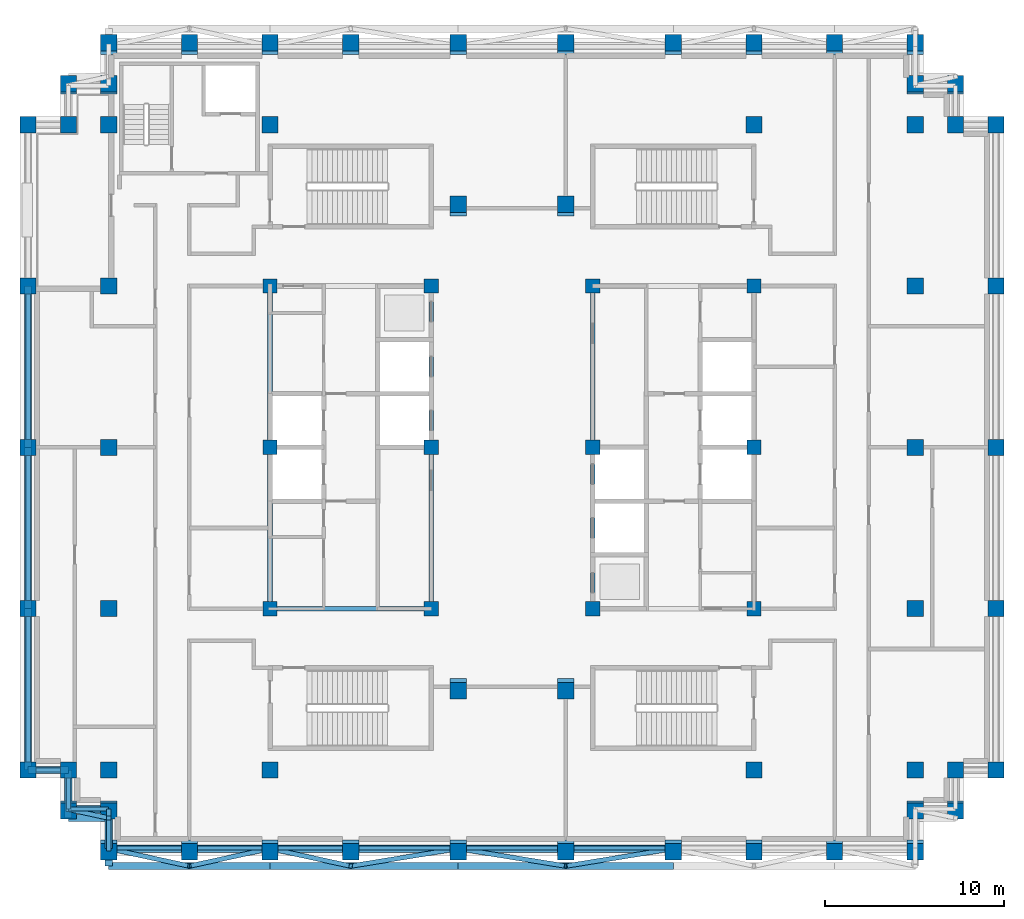
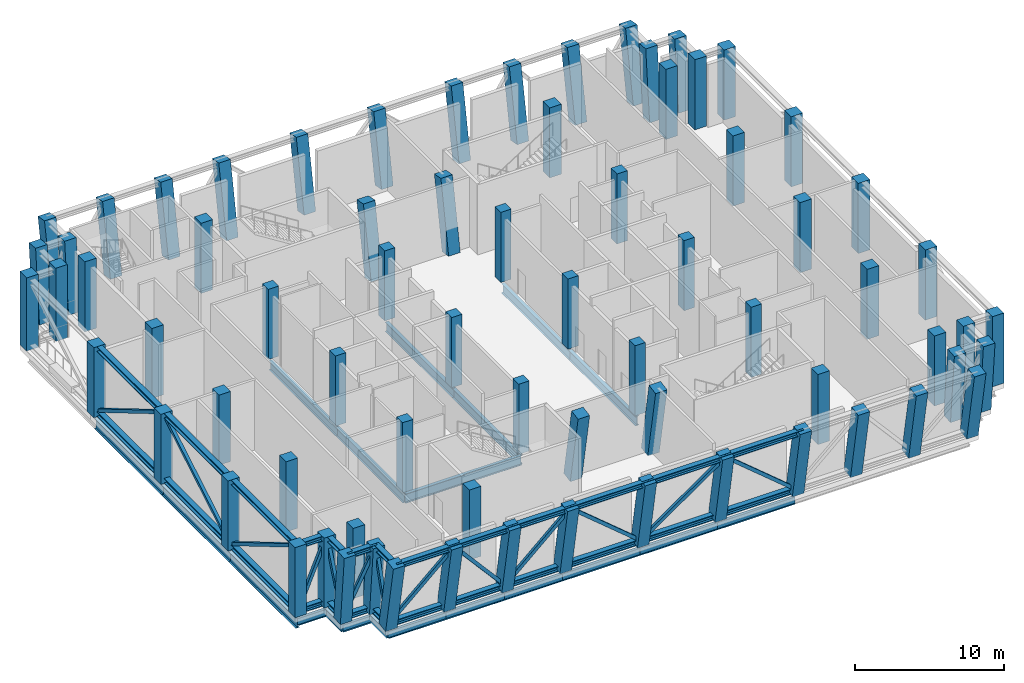
# One storey, part 1 of 11: 72 columns, 39 members, 20 beams.
"""IFC4 building model written with IfcOpenShell, lengths in metres."""

from ifc_helpers import new_model, si_unit, direction, frame, origin, origin_2d, place, context, subcontext, project, spatial, rectangle, hollow_rectangle, i_section, extrude, material, material_profile, profile_set, type_object, element, save


model = new_model("IFC4")

# Units and contexts
model_context = context("Model", 3, precision=1e-05, world=origin(), true_north=direction((0.0, 1.0)))
body_context = subcontext(model_context, "Body", "Model", "MODEL_VIEW")
ifc_project = project(units=[si_unit("LENGTHUNIT", "METRE"), si_unit("AREAUNIT", "SQUARE_METRE"), si_unit("VOLUMEUNIT", "CUBIC_METRE"), si_unit("PLANEANGLEUNIT", "RADIAN"), si_unit("MASSUNIT", "GRAM", prefix="KILO")], contexts=[model_context])

# Site, building, storey
site_placement = place(None, origin())
site = spatial("IfcSite", under=ifc_project, at=site_placement, CompositionType="ELEMENT")
building_placement = place(site_placement, origin())
building = spatial("IfcBuilding", under=site, at=building_placement, Name="Corbelhall Arena Tower", CompositionType="ELEMENT")
storey_placement = place(building_placement, frame((0.0, 0.0, 294.0)))
storey = spatial("IfcBuildingStorey", under=building, at=storey_placement, Name="L64", CompositionType="ELEMENT", Elevation=294.0)

# Columns
ifc_material_1 = material(Name="Concrete C80/95", Category="concrete")
ifc_material_profile_1 = material_profile(ifc_material_1, rectangle(XDim=0.800048828125, YDim=0.800048828125, at=origin_2d()))
ifc_profile_set_1 = profile_set([ifc_material_profile_1], Name="Concrete C80/95")
column_type_1 = type_object("IfcColumnType", Name="ST-COL-RC 800x800", PredefinedType="COLUMN", material=ifc_profile_set_1)
for number, where, z_axis, x_axis, name in (
    (1, (4.5, 0.0, 0.0), (0.0, 0.0, 1.0), (1.0, 0.0, 0.0), "Column KE+0450+0000"),
    (2, (4.5, 9.0, 0.0), (0.0, 0.0, 1.0), (1.0, 0.0, 0.0), "Column KE+0450+0900"),
    (3, (4.5, -9.0, 0.0), (0.0, 0.0, 1.0), (1.0, 0.0, 0.0), "Column KE+0450-0900"),
    (4, (13.5, 0.0, 0.0), (0.0, 0.0, 1.0), (1.0, 0.0, 0.0), "Column KE+1350+0000"),
    (5, (13.5, 9.0, 0.0), (0.0, 0.0, 1.0), (1.0, 0.0, 0.0), "Column KE+1350+0900"),
    (6, (13.5, -9.0, 0.0), (0.0, 0.0, 1.0), (1.0, 0.0, 0.0), "Column KE+1350-0900"),
    (7, (-4.5, 0.0, 0.0), (0.0, 0.0, 1.0), (1.0, 0.0, 0.0), "Column KW-0450+0000"),
    (8, (-4.5, 9.0, 0.0), (0.0, 0.0, 1.0), (1.0, 0.0, 0.0), "Column KW-0450+0900"),
    (9, (-4.5, -9.0, 0.0), (0.0, 0.0, 1.0), (1.0, 0.0, 0.0), "Column KW-0450-0900"),
    (10, (-13.5, 0.0, 0.0), (0.0, 0.0, 1.0), (1.0, 0.0, 0.0), "Column KW-1350+0000"),
    (11, (-13.5, 9.0, 0.0), (0.0, 0.0, 1.0), (1.0, 0.0, 0.0), "Column KW-1350+0900"),
    (12, (-13.5, -9.0, 0.0), (0.0, 0.0, 1.0), (1.0, 0.0, 0.0), "Column KW-1350-0900"),
):
    element("IfcColumn", number, at=place(storey_placement, frame(where, z_axis=z_axis, x_axis=x_axis)), inside=storey, type_object=column_type_1, Name=name, PredefinedType="COLUMN", context=body_context, shape_type="SweptSolid", body=[
        extrude(rectangle(XDim=0.800048828125, YDim=0.800048828125, at=origin_2d()), origin(), (0.0, 0.0, 1.0), 5.739990234375),
    ])
ifc_material_profile_2 = material_profile(ifc_material_1, rectangle(XDim=0.89990234375, YDim=0.89990234375, at=origin_2d()))
ifc_profile_set_2 = profile_set([ifc_material_profile_2], Name="Concrete C80/95")
column_type_2 = type_object("IfcColumnType", Name="ST-COL-RC 900x900", PredefinedType="COLUMN", material=ifc_profile_set_2)
for number, where, z_axis, x_axis, name in (
    (13, (13.5, 18.0, 0.0), (0.0, 0.0, 1.0), (1.0, 0.0, 0.0), "Column IE13+1800"),
    (14, (13.5, -18.0, 0.0), (0.0, 0.0, 1.0), (1.0, 0.0, 0.0), "Column IE13-1800"),
    (15, (22.5, 0.0, 0.0), (0.0, 0.0, 1.0), (1.0, 0.0, 0.0), "Column IE22+0000"),
    (16, (22.5, 9.0, 0.0), (0.0, 0.0, 1.0), (1.0, 0.0, 0.0), "Column IE22+0900"),
    (17, (22.5, 18.0, 0.0), (0.0, 0.0, 1.0), (1.0, 0.0, 0.0), "Column IE22+1800"),
    (18, (22.5, -9.0, 0.0), (0.0, 0.0, 1.0), (1.0, 0.0, 0.0), "Column IE22-0900"),
    (19, (22.5, -18.0, 0.0), (0.0, 0.0, 1.0), (1.0, 0.0, 0.0), "Column IE22-1800"),
    (20, (-13.5, 18.0, 0.0), (0.0, 0.0, 1.0), (1.0, 0.0, 0.0), "Column IW13+1800"),
    (21, (-13.5, -18.0, 0.0), (0.0, 0.0, 1.0), (1.0, 0.0, 0.0), "Column IW13-1800"),
    (22, (-22.5, 0.0, 0.0), (0.0, 0.0, 1.0), (1.0, 0.0, 0.0), "Column IW22+0000"),
    (23, (-22.5, 9.0, 0.0), (0.0, 0.0, 1.0), (1.0, 0.0, 0.0), "Column IW22+0900"),
    (24, (-22.5, 18.0, 0.0), (0.0, 0.0, 1.0), (1.0, 0.0, 0.0), "Column IW22+1800"),
    (25, (-22.5, -9.0, 0.0), (0.0, 0.0, 1.0), (1.0, 0.0, 0.0), "Column IW22-0900"),
    (26, (-22.5, -18.0, 0.0), (0.0, 0.0, 1.0), (1.0, 0.0, 0.0), "Column IW22-1800"),
    (27, (27.0, 0.0, 0.0), (0.0, 0.0, 1.0), (0.0, 1.0, 0.0), "Column PE+0000"),
    (28, (27.0, 9.0, 0.0), (0.0, 0.0, 1.0), (0.0, 1.0, 0.0), "Column PE+0900"),
    (29, (27.0, 18.0, 0.0), (0.0, 0.0, 1.0), (0.0, 1.0, 0.0), "Column PE+1800"),
    (30, (27.0, -9.0, 0.0), (0.0, 0.0, 1.0), (0.0, 1.0, 0.0), "Column PE-0900"),
    (31, (27.0, -18.0, 0.0), (0.0, 0.0, 1.0), (0.0, 1.0, 0.0), "Column PE-1800"),
):
    element("IfcColumn", number, at=place(storey_placement, frame(where, z_axis=z_axis, x_axis=x_axis)), inside=storey, type_object=column_type_2, Name=name, PredefinedType="COLUMN", context=body_context, shape_type="SweptSolid", body=[
        extrude(rectangle(XDim=0.89990234375, YDim=0.89990234375, at=origin_2d()), origin(), (0.0, 0.0, 1.0), 5.739990234375),
    ])
for number, where, z_axis, x_axis, name in (
    (32, (3.0, 22.35009765625, 0.0), (0.0, 0.179908897505, 0.983683276567), (-1.0, 0.0, 0.0), "Column PNE0300"),
    (33, (9.0, 22.35009765625, 0.0), (0.0, 0.179908897505, 0.983683276567), (-1.0, 0.0, 0.0), "Column PNE0900"),
    (34, (13.5, 22.35009765625, 0.0), (0.0, 0.179908897505, 0.983683276567), (-1.0, 0.0, 0.0), "Column PNE1350"),
    (35, (18.0, 22.35009765625, 0.0), (0.0, 0.179908897505, 0.983683276567), (-1.0, 0.0, 0.0), "Column PNE1800"),
    (36, (22.5, 22.35009765625, 0.0), (0.0, 0.179908897505, 0.983683276567), (-1.0, 0.0, 0.0), "Column PNE2250"),
    (37, (-3.0, 22.35009765625, 0.0), (0.0, 0.179908897505, 0.983683276567), (-1.0, 0.0, 0.0), "Column PNW0300"),
    (38, (-9.0, 22.35009765625, 0.0), (0.0, 0.179908897505, 0.983683276567), (-1.0, 0.0, 0.0), "Column PNW0900"),
    (39, (-13.5, 22.35009765625, 0.0), (0.0, 0.179908897505, 0.983683276567), (-1.0, 0.0, 0.0), "Column PNW1350"),
    (40, (-18.0, 22.35009765625, 0.0), (0.0, 0.179908897505, 0.983683276567), (-1.0, 0.0, 0.0), "Column PNW1800"),
    (41, (-22.5, 22.35009765625, 0.0), (0.0, 0.179908897505, 0.983683276567), (-1.0, 0.0, 0.0), "Column PNW2250"),
    (42, (3.0, -22.35009765625, 0.0), (0.0, -0.179908897505, 0.983683276567), (1.0, 0.0, 0.0), "Column PSE0300"),
    (43, (9.0, -22.35009765625, 0.0), (0.0, -0.179908897505, 0.983683276567), (1.0, 0.0, 0.0), "Column PSE0900"),
    (44, (13.5, -22.35009765625, 0.0), (0.0, -0.179908897505, 0.983683276567), (1.0, 0.0, 0.0), "Column PSE1350"),
    (45, (18.0, -22.35009765625, 0.0), (0.0, -0.179908897505, 0.983683276567), (1.0, 0.0, 0.0), "Column PSE1800"),
    (46, (22.5, -22.35009765625, 0.0), (0.0, -0.179908897505, 0.983683276567), (1.0, 0.0, 0.0), "Column PSE2250"),
    (47, (-3.0, -22.35009765625, 0.0), (0.0, -0.179908897505, 0.983683276567), (1.0, 0.0, 0.0), "Column PSW0300"),
    (48, (-9.0, -22.35009765625, 0.0), (0.0, -0.179908897505, 0.983683276567), (1.0, 0.0, 0.0), "Column PSW0900"),
    (49, (-13.5, -22.35009765625, 0.0), (0.0, -0.179908897505, 0.983683276567), (1.0, 0.0, 0.0), "Column PSW1350"),
    (50, (-18.0, -22.35009765625, 0.0), (0.0, -0.179908897505, 0.983683276567), (1.0, 0.0, 0.0), "Column PSW1800"),
    (51, (-22.5, -22.35009765625, 0.0), (0.0, -0.179908897505, 0.983683276567), (1.0, 0.0, 0.0), "Column PSW2250"),
):
    element("IfcColumn", number, at=place(storey_placement, frame(where, z_axis=z_axis, x_axis=x_axis)), inside=storey, type_object=column_type_2, Name=name, PredefinedType="COLUMN", context=body_context, shape_type="SweptSolid", body=[
        extrude(rectangle(XDim=0.89990234375, YDim=0.89990234375, at=origin_2d()), origin(), (0.0, 0.0, 1.0), 5.835205078125),
    ])
for number, where, z_axis, x_axis, name in (
    (52, (-27.0, 0.0, 0.0), (0.0, 0.0, 1.0), (0.0, 1.0, 0.0), "Column PW+0000"),
    (53, (-27.0, 9.0, 0.0), (0.0, 0.0, 1.0), (0.0, 1.0, 0.0), "Column PW+0900"),
):
    element("IfcColumn", number, at=place(storey_placement, frame(where, z_axis=z_axis, x_axis=x_axis)), inside=storey, type_object=column_type_2, Name=name, PredefinedType="COLUMN", context=body_context, shape_type="SweptSolid", body=[
        extrude(rectangle(XDim=0.89990234375, YDim=0.89990234375, at=origin_2d()), origin(), (0.0, 0.0, 1.0), 5.739990234375),
    ])
column_1_placement = place(storey_placement, frame((-27.0, 18.0, 0.0), z_axis=(0.0, 0.0, 1.0), x_axis=(0.0, 1.0, 0.0)))
element("IfcColumn", 54, at=column_1_placement, inside=storey, type_object=column_type_2, Name="Column PW+1800", PredefinedType="COLUMN", context=body_context, shape_type="SweptSolid", body=[
    extrude(rectangle(XDim=0.89990234375, YDim=0.89990234375, at=origin_2d()), origin(), (0.0, 0.0, 1.0), 6.0),
])
for number, where, z_axis, x_axis, name in (
    (55, (-27.0, -9.0, 0.0), (0.0, 0.0, 1.0), (0.0, 1.0, 0.0), "Column PW-0900"),
    (56, (-27.0, -18.0, 0.0), (0.0, 0.0, 1.0), (0.0, 1.0, 0.0), "Column PW-1800"),
):
    element("IfcColumn", number, at=place(storey_placement, frame(where, z_axis=z_axis, x_axis=x_axis)), inside=storey, type_object=column_type_2, Name=name, PredefinedType="COLUMN", context=body_context, shape_type="SweptSolid", body=[
        extrude(rectangle(XDim=0.89990234375, YDim=0.89990234375, at=origin_2d()), origin(), (0.0, 0.0, 1.0), 5.739990234375),
    ])
for number, where, z_axis, x_axis, name in (
    (57, (3.0, 13.35009765625, 0.0), (0.0, 0.179908897505, 0.983683276567), (-1.0, 0.0, 0.0), "Column SLNE2"),
    (58, (-3.0, 13.35009765625, 0.0), (0.0, 0.179908897505, 0.983683276567), (-1.0, 0.0, 0.0), "Column SLNW2"),
    (59, (3.0, -13.35009765625, 0.0), (0.0, -0.179908897505, 0.983683276567), (1.0, 0.0, 0.0), "Column SLSE2"),
    (60, (-3.0, -13.35009765625, 0.0), (0.0, -0.179908897505, 0.983683276567), (1.0, 0.0, 0.0), "Column SLSW2"),
):
    element("IfcColumn", number, at=place(storey_placement, frame(where, z_axis=z_axis, x_axis=x_axis)), inside=storey, type_object=column_type_2, Name=name, PredefinedType="COLUMN", context=body_context, shape_type="SweptSolid", body=[
        extrude(rectangle(XDim=0.89990234375, YDim=0.89990234375, at=origin_2d()), origin(), (0.0, 0.0, 1.0), 5.835205078125),
    ])
for number, where, z_axis, x_axis, name in (
    (61, (22.5, 20.175048828125, 0.0), (0.0, 0.091066578773, 0.995844806298), (-1.0, 0.0, 0.0), "Column XNE1"),
    (62, (24.75, 20.175048828125, 0.0), (0.0, 0.091066578773, 0.995844806298), (-1.0, 0.0, 0.0), "Column XNE2"),
):
    element("IfcColumn", number, at=place(storey_placement, frame(where, z_axis=z_axis, x_axis=x_axis)), inside=storey, type_object=column_type_2, Name=name, PredefinedType="COLUMN", context=body_context, shape_type="SweptSolid", body=[
        extrude(rectangle(XDim=0.89990234375, YDim=0.89990234375, at=origin_2d()), origin(), (0.0, 0.0, 1.0), 5.763916015625),
    ])
column_2_placement = place(storey_placement, frame((24.75, 18.0, 0.0), z_axis=(0.0, 0.0, 1.0), x_axis=(1.0, 0.0, 0.0)))
element("IfcColumn", 63, at=column_2_placement, inside=storey, type_object=column_type_2, Name="Column XNE3", PredefinedType="COLUMN", context=body_context, shape_type="SweptSolid", body=[
    extrude(rectangle(XDim=0.89990234375, YDim=0.89990234375, at=origin_2d()), origin(), (0.0, 0.0, 1.0), 5.739990234375),
])
column_3_placement = place(storey_placement, frame((-22.5, 20.175048828125, 0.0), z_axis=(0.0, 0.091066578773, 0.995844806298), x_axis=(-1.0, 0.0, 0.0)))
element("IfcColumn", 64, at=column_3_placement, inside=storey, type_object=column_type_2, Name="Column XNW1", PredefinedType="COLUMN", context=body_context, shape_type="SweptSolid", body=[
    extrude(rectangle(XDim=0.89990234375, YDim=0.89990234375, at=origin_2d()), origin(), (0.0, 0.0, 1.0), 5.763916015625),
])
column_4_placement = place(storey_placement, frame((-24.75, 20.175048828125, 0.0), z_axis=(0.0, 0.087792514157, 0.99613878273), x_axis=(-1.0, 0.0, 0.0)))
element("IfcColumn", 65, at=column_4_placement, inside=storey, type_object=column_type_2, Name="Column XNW2", PredefinedType="COLUMN", context=body_context, shape_type="SweptSolid", body=[
    extrude(rectangle(XDim=0.89990234375, YDim=0.89990234375, at=origin_2d()), origin(), (0.0, 0.0, 1.0), 5.97900390625),
])
column_5_placement = place(storey_placement, frame((-24.75, 18.0, 0.0), z_axis=(0.0, 0.0, 1.0), x_axis=(1.0, 0.0, 0.0)))
element("IfcColumn", 66, at=column_5_placement, inside=storey, type_object=column_type_2, Name="Column XNW3", PredefinedType="COLUMN", context=body_context, shape_type="SweptSolid", body=[
    extrude(rectangle(XDim=0.89990234375, YDim=0.89990234375, at=origin_2d()), origin(), (0.0, 0.0, 1.0), 6.0),
])
for number, where, z_axis, x_axis, name in (
    (67, (22.5, -20.175048828125, 0.0), (0.0, -0.091066578773, 0.995844806298), (1.0, 0.0, 0.0), "Column XSE1"),
    (68, (24.75, -20.175048828125, 0.0), (0.0, -0.091066578773, 0.995844806298), (1.0, 0.0, 0.0), "Column XSE2"),
):
    element("IfcColumn", number, at=place(storey_placement, frame(where, z_axis=z_axis, x_axis=x_axis)), inside=storey, type_object=column_type_2, Name=name, PredefinedType="COLUMN", context=body_context, shape_type="SweptSolid", body=[
        extrude(rectangle(XDim=0.89990234375, YDim=0.89990234375, at=origin_2d()), origin(), (0.0, 0.0, 1.0), 5.763916015625),
    ])
column_6_placement = place(storey_placement, frame((24.75, -18.0, 0.0), z_axis=(0.0, 0.0, 1.0), x_axis=(1.0, 0.0, 0.0)))
element("IfcColumn", 69, at=column_6_placement, inside=storey, type_object=column_type_2, Name="Column XSE3", PredefinedType="COLUMN", context=body_context, shape_type="SweptSolid", body=[
    extrude(rectangle(XDim=0.89990234375, YDim=0.89990234375, at=origin_2d()), origin(), (0.0, 0.0, 1.0), 5.739990234375),
])
for number, where, z_axis, x_axis, name in (
    (70, (-22.5, -20.175048828125, 0.0), (0.0, -0.091066578773, 0.995844806298), (1.0, 0.0, 0.0), "Column XSW1"),
    (71, (-24.75, -20.175048828125, 0.0), (0.0, -0.091066578773, 0.995844806298), (1.0, 0.0, 0.0), "Column XSW2"),
):
    element("IfcColumn", number, at=place(storey_placement, frame(where, z_axis=z_axis, x_axis=x_axis)), inside=storey, type_object=column_type_2, Name=name, PredefinedType="COLUMN", context=body_context, shape_type="SweptSolid", body=[
        extrude(rectangle(XDim=0.89990234375, YDim=0.89990234375, at=origin_2d()), origin(), (0.0, 0.0, 1.0), 5.763916015625),
    ])
column_7_placement = place(storey_placement, frame((-24.75, -18.0, 0.0), z_axis=(0.0, 0.0, 1.0), x_axis=(1.0, 0.0, 0.0)))
element("IfcColumn", 72, at=column_7_placement, inside=storey, type_object=column_type_2, Name="Column XSW3", PredefinedType="COLUMN", context=body_context, shape_type="SweptSolid", body=[
    extrude(rectangle(XDim=0.89990234375, YDim=0.89990234375, at=origin_2d()), origin(), (0.0, 0.0, 1.0), 5.739990234375),
])

# Beams
ifc_material_2 = material(Name="Steel ASTM A992 Gr50", Category="steel")
ifc_material_profile_3 = material_profile(ifc_material_2, i_section(OverallWidth=0.2666015625, OverallDepth=0.761962890625, WebThickness=0.014404296875, FlangeThickness=0.021484375, at=origin_2d()))
ifc_profile_set_3 = profile_set([ifc_material_profile_3], Name="Steel ASTM A992 Gr50")
beam_type_1 = type_object("IfcBeamType", Name="ST-BEAM-W30x116", PredefinedType="BEAM", material=ifc_profile_set_3)
for number, where, z_axis, x_axis, name in (
    (73, (-13.5, -9.0, -0.791015625), (0.0, 1.0, 0.0), (-1.0, 0.0, 0.0), "Beam CEW 1"),
    (74, (-13.5, 0.0, -0.791015625), (0.0, 1.0, 0.0), (-1.0, 0.0, 0.0), "Beam CEW 2"),
    (75, (-4.5, -9.0, -0.791015625), (0.0, 1.0, 0.0), (-1.0, 0.0, 0.0), "Beam CEW 3"),
    (76, (-4.5, 0.0, -0.791015625), (0.0, 1.0, 0.0), (-1.0, 0.0, 0.0), "Beam CEW 4"),
    (77, (-13.5, -9.0, -0.791015625), (1.0, 0.0, 0.0), (0.0, 1.0, 0.0), "Beam CEW 5"),
    (78, (4.5, -9.0, -0.791015625), (0.0, 1.0, 0.0), (-1.0, 0.0, 0.0), "Beam CEE 7"),
    (79, (4.5, 0.0, -0.791015625), (0.0, 1.0, 0.0), (-1.0, 0.0, 0.0), "Beam CEE 8"),
):
    element("IfcBeam", number, at=place(storey_placement, frame(where, z_axis=z_axis, x_axis=x_axis)), inside=storey, type_object=beam_type_1, Name=name, PredefinedType="BEAM", context=body_context, shape_type="SweptSolid", body=[
        extrude(i_section(OverallWidth=0.2666015625, OverallDepth=0.761962890625, WebThickness=0.014404296875, FlangeThickness=0.021484375, at=origin_2d()), origin(), (0.0, 0.0, 1.0), 9.0),
    ])

# Members
ifc_material_profile_4 = material_profile(ifc_material_2, i_section(OverallWidth=0.406494140625, OverallDepth=0.41650390625, WebThickness=0.02978515625, FlangeThickness=0.048095703125, at=origin_2d()))
ifc_profile_set_4 = profile_set([ifc_material_profile_4], Name="Steel ASTM A992 Gr50")
member_type_1 = type_object("IfcMemberType", Name="ST-CHORD-W14x257", PredefinedType="CHORD", material=ifc_profile_set_4)
for number, where, z_axis, x_axis, name in (
    (80, (3.0, -22.38818359375, 0.208251953125), (-1.0, 0.0, 0.0), (0.0, -1.0, 0.0), "Truss chord BC 16"),
    (81, (3.0, -23.36181640625, 5.53173828125), (-1.0, 0.0, 0.0), (0.0, -1.0, 0.0), "Truss chord TC 16"),
    (82, (9.0, -22.38818359375, 0.208251953125), (-1.0, 0.0, 0.0), (0.0, -1.0, 0.0), "Truss chord BC 17"),
    (83, (9.0, -23.36181640625, 5.53173828125), (-1.0, 0.0, 0.0), (0.0, -1.0, 0.0), "Truss chord TC 17"),
    (84, (-3.0, -22.38818359375, 0.208251953125), (-1.0, 0.0, 0.0), (0.0, -1.0, 0.0), "Truss chord BC 21"),
    (85, (-3.0, -23.36181640625, 5.53173828125), (-1.0, 0.0, 0.0), (0.0, -1.0, 0.0), "Truss chord TC 21"),
):
    element("IfcMember", number, at=place(storey_placement, frame(where, z_axis=z_axis, x_axis=x_axis)), inside=storey, type_object=member_type_1, Name=name, PredefinedType="CHORD", context=body_context, shape_type="SweptSolid", body=[
        extrude(i_section(OverallWidth=0.406494140625, OverallDepth=0.41650390625, WebThickness=0.02978515625, FlangeThickness=0.048095703125, at=origin_2d()), origin(), (0.0, 0.0, 1.0), 6.0),
    ])
for number, where, z_axis, x_axis, name in (
    (86, (-9.0, -22.38818359375, 0.208251953125), (-1.0, 0.0, 0.0), (0.0, -1.0, 0.0), "Truss chord BC 22"),
    (87, (-9.0, -23.36181640625, 5.53173828125), (-1.0, 0.0, 0.0), (0.0, -1.0, 0.0), "Truss chord TC 22"),
    (88, (-13.5, -22.38818359375, 0.208251953125), (-1.0, 0.0, 0.0), (0.0, -1.0, 0.0), "Truss chord BC 23"),
    (89, (-13.5, -23.36181640625, 5.53173828125), (-1.0, 0.0, 0.0), (0.0, -1.0, 0.0), "Truss chord TC 23"),
    (90, (-18.0, -22.38818359375, 0.208251953125), (-1.0, 0.0, 0.0), (0.0, -1.0, 0.0), "Truss chord BC 24"),
    (91, (-18.0, -23.36181640625, 5.53173828125), (-1.0, 0.0, 0.0), (0.0, -1.0, 0.0), "Truss chord TC 24"),
):
    element("IfcMember", number, at=place(storey_placement, frame(where, z_axis=z_axis, x_axis=x_axis)), inside=storey, type_object=member_type_1, Name=name, PredefinedType="CHORD", context=body_context, shape_type="SweptSolid", body=[
        extrude(i_section(OverallWidth=0.406494140625, OverallDepth=0.41650390625, WebThickness=0.02978515625, FlangeThickness=0.048095703125, at=origin_2d()), origin(), (0.0, 0.0, 1.0), 4.5),
    ])
member_1_placement = place(storey_placement, frame((-22.5, -22.38818359375, 0.208251953125), z_axis=(0.0, 1.0, 0.0), x_axis=(-1.0, 0.0, 0.0)))
element("IfcMember", 92, at=member_1_placement, inside=storey, type_object=member_type_1, Name="Truss chord BC 25", PredefinedType="CHORD", context=body_context, shape_type="SweptSolid", body=[
    extrude(i_section(OverallWidth=0.406494140625, OverallDepth=0.41650390625, WebThickness=0.02978515625, FlangeThickness=0.048095703125, at=origin_2d()), origin(), (0.0, 0.0, 1.0), 2.194091796875),
])
member_2_placement = place(storey_placement, frame((-22.5, -23.36181640625, 5.53173828125), z_axis=(0.0, 1.0, 0.0), x_axis=(-1.0, 0.0, 0.0)))
element("IfcMember", 93, at=member_2_placement, inside=storey, type_object=member_type_1, Name="Truss chord TC 25", PredefinedType="CHORD", context=body_context, shape_type="SweptSolid", body=[
    extrude(i_section(OverallWidth=0.406494140625, OverallDepth=0.41650390625, WebThickness=0.02978515625, FlangeThickness=0.048095703125, at=origin_2d()), origin(), (0.0, 0.0, 1.0), 2.680908203125),
])
for number, where, z_axis, x_axis, name in (
    (94, (-27.0, 0.0, 0.208251953125), (0.0, 1.0, 0.0), (-1.0, 0.0, 0.0), "Truss chord BC 26"),
    (95, (-27.0, 0.0, 5.53173828125), (0.0, 1.0, 0.0), (-1.0, 0.0, 0.0), "Truss chord TC 26"),
    (96, (-27.0, -9.0, 0.208251953125), (0.0, 1.0, 0.0), (-1.0, 0.0, 0.0), "Truss chord BC 29"),
    (97, (-27.0, -9.0, 5.53173828125), (0.0, 1.0, 0.0), (-1.0, 0.0, 0.0), "Truss chord TC 29"),
    (98, (-27.0, -18.0, 0.208251953125), (0.0, 1.0, 0.0), (-1.0, 0.0, 0.0), "Truss chord BC 30"),
    (99, (-27.0, -18.0, 5.53173828125), (0.0, 1.0, 0.0), (-1.0, 0.0, 0.0), "Truss chord TC 30"),
):
    element("IfcMember", number, at=place(storey_placement, frame(where, z_axis=z_axis, x_axis=x_axis)), inside=storey, type_object=member_type_1, Name=name, PredefinedType="CHORD", context=body_context, shape_type="SweptSolid", body=[
        extrude(i_section(OverallWidth=0.406494140625, OverallDepth=0.41650390625, WebThickness=0.02978515625, FlangeThickness=0.048095703125, at=origin_2d()), origin(), (0.0, 0.0, 1.0), 9.0),
    ])
for number, where, z_axis, x_axis, name in (
    (100, (-22.5, -20.194091796875, 0.208251953125), (-1.0, 0.0, 0.0), (0.0, -1.0, 0.0), "Truss chord BC 40"),
    (101, (-22.5, -20.680908203125, 5.53173828125), (-1.0, 0.0, 0.0), (0.0, -1.0, 0.0), "Truss chord TC 40"),
):
    element("IfcMember", number, at=place(storey_placement, frame(where, z_axis=z_axis, x_axis=x_axis)), inside=storey, type_object=member_type_1, Name=name, PredefinedType="CHORD", context=body_context, shape_type="SweptSolid", body=[
        extrude(i_section(OverallWidth=0.406494140625, OverallDepth=0.41650390625, WebThickness=0.02978515625, FlangeThickness=0.048095703125, at=origin_2d()), origin(), (0.0, 0.0, 1.0), 2.25),
    ])
member_3_placement = place(storey_placement, frame((-24.75, -20.194091796875, 0.208251953125), z_axis=(0.0, 1.0, 0.0), x_axis=(-1.0, 0.0, 0.0)))
element("IfcMember", 102, at=member_3_placement, inside=storey, type_object=member_type_1, Name="Truss chord BC 41", PredefinedType="CHORD", context=body_context, shape_type="SweptSolid", body=[
    extrude(i_section(OverallWidth=0.406494140625, OverallDepth=0.41650390625, WebThickness=0.02978515625, FlangeThickness=0.048095703125, at=origin_2d()), origin(), (0.0, 0.0, 1.0), 2.194091796875),
])
member_4_placement = place(storey_placement, frame((-24.75, -20.680908203125, 5.53173828125), z_axis=(0.0, 1.0, 0.0), x_axis=(-1.0, 0.0, 0.0)))
element("IfcMember", 103, at=member_4_placement, inside=storey, type_object=member_type_1, Name="Truss chord TC 41", PredefinedType="CHORD", context=body_context, shape_type="SweptSolid", body=[
    extrude(i_section(OverallWidth=0.406494140625, OverallDepth=0.41650390625, WebThickness=0.02978515625, FlangeThickness=0.048095703125, at=origin_2d()), origin(), (0.0, 0.0, 1.0), 2.680908203125),
])
for number, where, z_axis, x_axis, name in (
    (104, (-24.75, -18.0, 0.208251953125), (-1.0, 0.0, 0.0), (0.0, -1.0, 0.0), "Truss chord BC 42"),
    (105, (-24.75, -18.0, 5.53173828125), (-1.0, 0.0, 0.0), (0.0, -1.0, 0.0), "Truss chord TC 42"),
):
    element("IfcMember", number, at=place(storey_placement, frame(where, z_axis=z_axis, x_axis=x_axis)), inside=storey, type_object=member_type_1, Name=name, PredefinedType="CHORD", context=body_context, shape_type="SweptSolid", body=[
        extrude(i_section(OverallWidth=0.406494140625, OverallDepth=0.41650390625, WebThickness=0.02978515625, FlangeThickness=0.048095703125, at=origin_2d()), origin(), (0.0, 0.0, 1.0), 2.25),
    ])

# Beams
ifc_material_profile_5 = material_profile(ifc_material_2, i_section(OverallWidth=0.227783203125, OverallDepth=0.60205078125, WebThickness=0.010498046875, FlangeThickness=0.014892578125, at=origin_2d()))
ifc_profile_set_5 = profile_set([ifc_material_profile_5], Name="Steel ASTM A992 Gr50")
beam_type_2 = type_object("IfcBeamType", Name="ST-SPANDREL-W24x68", PredefinedType="SPANDREL", material=ifc_profile_set_5)
for number, where, z_axis, x_axis, name in (
    (106, (3.0, -22.35009765625, -0.7109375), (-1.0, 0.0, 0.0), (0.0, -1.0, 0.0), "Beam SP 16"),
    (107, (9.0, -22.35009765625, -0.7109375), (-1.0, 0.0, 0.0), (0.0, -1.0, 0.0), "Beam SP 17"),
    (108, (-3.0, -22.35009765625, -0.7109375), (-1.0, 0.0, 0.0), (0.0, -1.0, 0.0), "Beam SP 21"),
):
    element("IfcBeam", number, at=place(storey_placement, frame(where, z_axis=z_axis, x_axis=x_axis)), inside=storey, type_object=beam_type_2, Name=name, PredefinedType="SPANDREL", context=body_context, shape_type="SweptSolid", body=[
        extrude(i_section(OverallWidth=0.227783203125, OverallDepth=0.60205078125, WebThickness=0.010498046875, FlangeThickness=0.014892578125, at=origin_2d()), origin(), (0.0, 0.0, 1.0), 6.0),
    ])
for number, where, z_axis, x_axis, name in (
    (109, (-9.0, -22.35009765625, -0.7109375), (-1.0, 0.0, 0.0), (0.0, -1.0, 0.0), "Beam SP 22"),
    (110, (-13.5, -22.35009765625, -0.7109375), (-1.0, 0.0, 0.0), (0.0, -1.0, 0.0), "Beam SP 23"),
    (111, (-18.0, -22.35009765625, -0.7109375), (-1.0, 0.0, 0.0), (0.0, -1.0, 0.0), "Beam SP 24"),
):
    element("IfcBeam", number, at=place(storey_placement, frame(where, z_axis=z_axis, x_axis=x_axis)), inside=storey, type_object=beam_type_2, Name=name, PredefinedType="SPANDREL", context=body_context, shape_type="SweptSolid", body=[
        extrude(i_section(OverallWidth=0.227783203125, OverallDepth=0.60205078125, WebThickness=0.010498046875, FlangeThickness=0.014892578125, at=origin_2d()), origin(), (0.0, 0.0, 1.0), 4.5),
    ])
beam_1_placement = place(storey_placement, frame((-22.5, -22.35009765625, -0.7109375), z_axis=(0.0, 1.0, 0.0), x_axis=(-1.0, 0.0, 0.0)))
element("IfcBeam", 112, at=beam_1_placement, inside=storey, type_object=beam_type_2, Name="Beam SP 25", PredefinedType="SPANDREL", context=body_context, shape_type="SweptSolid", body=[
    extrude(i_section(OverallWidth=0.227783203125, OverallDepth=0.60205078125, WebThickness=0.010498046875, FlangeThickness=0.014892578125, at=origin_2d()), origin(), (0.0, 0.0, 1.0), 2.175048828125),
])
beam_2_placement = place(storey_placement, frame((-22.5, -20.175048828125, -0.7109375), z_axis=(-1.0, 0.0, 0.0), x_axis=(0.0, -1.0, 0.0)))
element("IfcBeam", 113, at=beam_2_placement, inside=storey, type_object=beam_type_2, Name="Beam SP 40", PredefinedType="SPANDREL", context=body_context, shape_type="SweptSolid", body=[
    extrude(i_section(OverallWidth=0.227783203125, OverallDepth=0.60205078125, WebThickness=0.010498046875, FlangeThickness=0.014892578125, at=origin_2d()), origin(), (0.0, 0.0, 1.0), 2.25),
])
beam_3_placement = place(storey_placement, frame((-24.75, -20.175048828125, -0.7109375), z_axis=(0.0, 1.0, 0.0), x_axis=(-1.0, 0.0, 0.0)))
element("IfcBeam", 114, at=beam_3_placement, inside=storey, type_object=beam_type_2, Name="Beam SP 41", PredefinedType="SPANDREL", context=body_context, shape_type="SweptSolid", body=[
    extrude(i_section(OverallWidth=0.227783203125, OverallDepth=0.60205078125, WebThickness=0.010498046875, FlangeThickness=0.014892578125, at=origin_2d()), origin(), (0.0, 0.0, 1.0), 2.175048828125),
])
beam_4_placement = place(storey_placement, frame((-24.75, -18.0, -0.7109375), z_axis=(-1.0, 0.0, 0.0), x_axis=(0.0, -1.0, 0.0)))
element("IfcBeam", 115, at=beam_4_placement, inside=storey, type_object=beam_type_2, Name="Beam SP 42", PredefinedType="SPANDREL", context=body_context, shape_type="SweptSolid", body=[
    extrude(i_section(OverallWidth=0.227783203125, OverallDepth=0.60205078125, WebThickness=0.010498046875, FlangeThickness=0.014892578125, at=origin_2d()), origin(), (0.0, 0.0, 1.0), 2.25),
])
ifc_material_profile_6 = material_profile(ifc_material_2, i_section(OverallWidth=0.2919921875, OverallDepth=0.845703125, WebThickness=0.015380859375, FlangeThickness=0.0244140625, at=origin_2d()))
ifc_profile_set_6 = profile_set([ifc_material_profile_6], Name="Steel ASTM A992 Gr50")
beam_type_3 = type_object("IfcBeamType", Name="ST-SPANDREL-W33x141", PredefinedType="SPANDREL", material=ifc_profile_set_6)
for number, where, z_axis, x_axis, name in (
    (116, (-27.0, 0.0, -0.8330078125), (0.0, 1.0, 0.0), (-1.0, 0.0, 0.0), "Beam SP 26"),
    (117, (-27.0, -9.0, -0.8330078125), (0.0, 1.0, 0.0), (-1.0, 0.0, 0.0), "Beam SP 29"),
    (118, (-27.0, -18.0, -0.8330078125), (0.0, 1.0, 0.0), (-1.0, 0.0, 0.0), "Beam SP 30"),
):
    element("IfcBeam", number, at=place(storey_placement, frame(where, z_axis=z_axis, x_axis=x_axis)), inside=storey, type_object=beam_type_3, Name=name, PredefinedType="SPANDREL", context=body_context, shape_type="SweptSolid", body=[
        extrude(i_section(OverallWidth=0.2919921875, OverallDepth=0.845703125, WebThickness=0.015380859375, FlangeThickness=0.0244140625, at=origin_2d()), origin(), (0.0, 0.0, 1.0), 9.0),
    ])

# Members
ifc_material_3 = material(Name="Steel ASTM A500 Gr C", Category="steel")
ifc_material_profile_7 = material_profile(ifc_material_3, hollow_rectangle(XDim=0.25390625, YDim=0.25390625, WallThickness=0.01171875, at=origin_2d()))
ifc_profile_set_7 = profile_set([ifc_material_profile_7], Name="Steel ASTM A500 Gr C")
member_type_2 = type_object("IfcMemberType", Name="ST-STRUT-HSS10x10x1/2", PredefinedType="STRUT", material=ifc_profile_set_7)
for number, where, z_axis, x_axis, name in (
    (119, (-3.0, -22.38818359375, 0.208251953125), (0.742568186349, -0.120498125291, 0.658841931288), (0.160176929512, 0.987088319884, 0.0), "Truss diagonal 16"),
    (120, (9.0, -22.38818359375, 0.208251953125), (-0.742568186349, -0.120498125291, 0.658841931288), (0.160176929512, -0.987088319884, 0.0), "Truss diagonal 17"),
    (121, (-3.0, -22.38818359375, 0.208251953125), (-0.742568186349, -0.120498125291, 0.658841931288), (0.160176929512, -0.987088319884, 0.0), "Truss diagonal 21"),
):
    element("IfcMember", number, at=place(storey_placement, frame(where, z_axis=z_axis, x_axis=x_axis)), inside=storey, type_object=member_type_2, Name=name, PredefinedType="STRUT", context=body_context, shape_type="SweptSolid", body=[
        extrude(hollow_rectangle(XDim=0.25390625, YDim=0.25390625, WallThickness=0.01171875, at=origin_2d()), origin(), (0.0, 0.0, 1.0), 8.080078125),
    ])
for number, where, z_axis, x_axis, name in (
    (122, (-13.5, -22.38818359375, 0.208251953125), (0.639360222573, -0.138333798156, 0.756361200803), (0.21146970467, 0.977384552777, 0.0), "Truss diagonal 22"),
    (123, (-13.5, -22.38818359375, 0.208251953125), (-0.639360222573, -0.138333798156, 0.756361200803), (0.21146970467, -0.977384552777, 0.0), "Truss diagonal 23"),
    (124, (-22.5, -22.38818359375, 0.208251953125), (0.639360222573, -0.138333798156, 0.756361200803), (0.21146970467, 0.977384552777, 0.0), "Truss diagonal 24"),
):
    element("IfcMember", number, at=place(storey_placement, frame(where, z_axis=z_axis, x_axis=x_axis)), inside=storey, type_object=member_type_2, Name=name, PredefinedType="STRUT", context=body_context, shape_type="SweptSolid", body=[
        extrude(hollow_rectangle(XDim=0.25390625, YDim=0.25390625, WallThickness=0.01171875, at=origin_2d()), origin(), (0.0, 0.0, 1.0), 7.038330078125),
    ])
member_5_placement = place(storey_placement, frame((-22.5, -22.38818359375, 0.208251953125), z_axis=(0.0, 0.305385716377, 0.952228735249), x_axis=(-1.0, 0.0, 0.0)))
element("IfcMember", 125, at=member_5_placement, inside=storey, type_object=member_type_2, Name="Truss diagonal 25", PredefinedType="STRUT", context=body_context, shape_type="SweptSolid", body=[
    extrude(hollow_rectangle(XDim=0.25390625, YDim=0.25390625, WallThickness=0.01171875, at=origin_2d()), origin(), (0.0, 0.0, 1.0), 5.590576171875),
])
for number, where, z_axis, x_axis, name in (
    (126, (-27.0, 9.0, 0.208251953125), (0.0, -0.860704263753, 0.509105264516), (1.0, 0.0, 0.0), "Truss diagonal 26"),
    (127, (-27.0, -9.0, 0.208251953125), (0.0, 0.860704263753, 0.509105264516), (-1.0, 0.0, 0.0), "Truss diagonal 29"),
    (128, (-27.0, -9.0, 0.208251953125), (0.0, -0.860704263753, 0.509105264516), (1.0, 0.0, 0.0), "Truss diagonal 30"),
):
    element("IfcMember", number, at=place(storey_placement, frame(where, z_axis=z_axis, x_axis=x_axis)), inside=storey, type_object=member_type_2, Name=name, PredefinedType="STRUT", context=body_context, shape_type="SweptSolid", body=[
        extrude(hollow_rectangle(XDim=0.25390625, YDim=0.25390625, WallThickness=0.01171875, at=origin_2d()), origin(), (0.0, 0.0, 1.0), 10.45654296875),
    ])
member_6_placement = place(storey_placement, frame((-24.75, -20.194091796875, 0.208251953125), z_axis=(0.387936818411, -0.083935114574, 0.917856155104), x_axis=(0.21146970467, 0.977384552777, 0.0)))
element("IfcMember", 129, at=member_6_placement, inside=storey, type_object=member_type_2, Name="Truss diagonal 40", PredefinedType="STRUT", context=body_context, shape_type="SweptSolid", body=[
    extrude(hollow_rectangle(XDim=0.25390625, YDim=0.25390625, WallThickness=0.01171875, at=origin_2d()), origin(), (0.0, 0.0, 1.0), 5.7998046875),
])
member_7_placement = place(storey_placement, frame((-24.75, -20.194091796875, 0.208251953125), z_axis=(0.0, 0.381056877157, 0.924551597463), x_axis=(-1.0, 0.0, 0.0)))
element("IfcMember", 130, at=member_7_placement, inside=storey, type_object=member_type_2, Name="Truss diagonal 41", PredefinedType="STRUT", context=body_context, shape_type="SweptSolid", body=[
    extrude(hollow_rectangle(XDim=0.25390625, YDim=0.25390625, WallThickness=0.01171875, at=origin_2d()), origin(), (0.0, 0.0, 1.0), 5.7578125),
])
member_8_placement = place(storey_placement, frame((-27.0, -18.0, 0.208251953125), z_axis=(0.389310609071, 0.0, 0.921106535459), x_axis=(0.0, 1.0, 0.0)))
element("IfcMember", 131, at=member_8_placement, inside=storey, type_object=member_type_2, Name="Truss diagonal 42", PredefinedType="STRUT", context=body_context, shape_type="SweptSolid", body=[
    extrude(hollow_rectangle(XDim=0.25390625, YDim=0.25390625, WallThickness=0.01171875, at=origin_2d()), origin(), (0.0, 0.0, 1.0), 5.779541015625),
])

save(model, "model.ifc")
